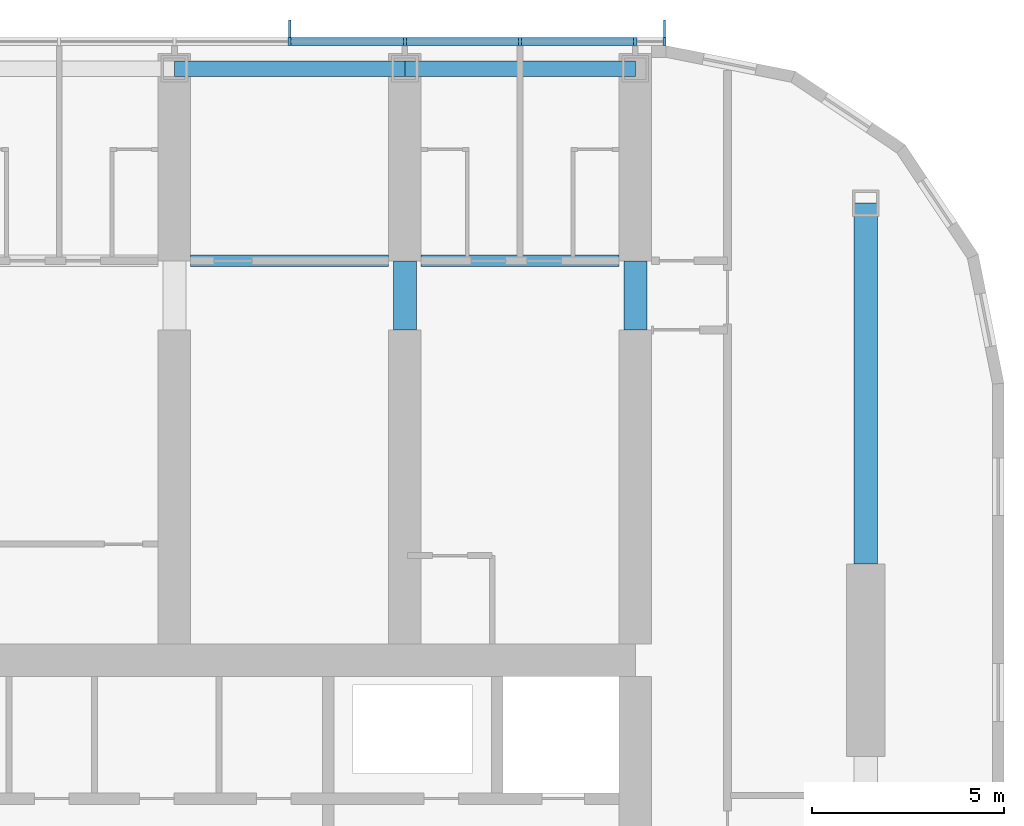
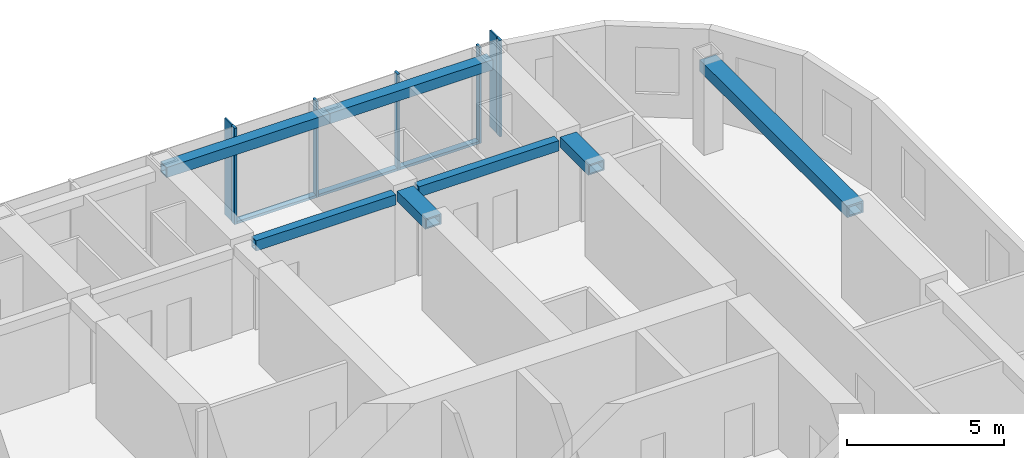
# One storey, part 5 of 23: 10 members, 7 beams, 1 element without a shape of its own.
"""IFC4 building model written with IfcOpenShell, lengths in metres."""

from ifc_helpers import new_model, si_unit, direction, frame, origin, origin_2d, place, context, subcontext, project, spatial, rectangle, hollow_rectangle, extrude, material, material_profile, profile_set, type_object, element, aggregate, save


model = new_model("IFC4")

# Units and contexts
model_context = context("Model", 3, precision=1e-05, world=origin(), true_north=direction((0.0, 1.0)))
body_context = subcontext(model_context, "Body", "Model", "MODEL_VIEW")
ifc_project = project(units=[si_unit("LENGTHUNIT", "METRE"), si_unit("AREAUNIT", "SQUARE_METRE"), si_unit("VOLUMEUNIT", "CUBIC_METRE"), si_unit("PLANEANGLEUNIT", "RADIAN"), si_unit("MASSUNIT", "GRAM", prefix="KILO")], contexts=[model_context])

# Site, building, storey
site_placement = place(None, origin())
site = spatial("IfcSite", under=ifc_project, at=site_placement, CompositionType="ELEMENT")
building_placement = place(site_placement, origin())
building = spatial("IfcBuilding", under=site, at=building_placement, Name="Orbita Commons", CompositionType="ELEMENT")
storey_placement = place(building_placement, frame((0.0, 0.0, 171.10009765625)))
storey = spatial("IfcBuildingStorey", under=building, at=storey_placement, Name="L42", CompositionType="ELEMENT", Elevation=171.10009765625)

# Curtain wall, members
ifc_material_1 = material(Name="Anodised aluminium frame, pale silver", Category="aluminium")
curtain_wall_type = type_object("IfcCurtainWallType", Name="Unitised curtain wall CW-U, full-height vision", PredefinedType="NOTDEFINED", material=ifc_material_1)
curtain_wall_placement = place(storey_placement, origin())
curtain_wall = element("IfcCurtainWall", 1, at=curtain_wall_placement, inside=storey, type_object=curtain_wall_type, Name="Curtain wall north L42", PredefinedType="NOTDEFINED")
ifc_material_2 = material(Name="Anodised aluminium, pale silver", Category="aluminium")
ifc_material_profile_1 = material_profile(ifc_material_2, rectangle(XDim=0.080078125, YDim=0.219970703125, at=origin_2d()), Name="AL 80x220")
ifc_profile_set_1 = profile_set([ifc_material_profile_1], Name="Anodised aluminium, pale silver")
member_type_1 = type_object("IfcMemberType", Name="Curtain wall mullion 80x220", PredefinedType="MULLION", material=ifc_profile_set_1)
member_1_placement = place(storey_placement, frame((66.760009765625, 54.31005859375, -0.25), z_axis=(0.0, 0.0, 1.0), x_axis=(-1.0, 0.0, 0.0)))
member_1 = element("IfcMember", 2, at=member_1_placement, type_object=member_type_1, Name="Mullion 1 CW-L42-N", PredefinedType="MULLION", context=body_context, shape_type="SweptSolid", body=[
    extrude(rectangle(XDim=0.080078125, YDim=0.219970703125, at=origin_2d()), origin(), (0.0, 0.0, 1.0), 3.75),
])
member_2_placement = place(storey_placement, frame((66.0, 54.31005859375, -0.25), z_axis=(0.0, 0.0, 1.0), x_axis=(-1.0, 0.0, 0.0)))
member_2 = element("IfcMember", 3, at=member_2_placement, type_object=member_type_1, Name="Mullion 2 CW-L42-N", PredefinedType="MULLION", context=body_context, shape_type="SweptSolid", body=[
    extrude(rectangle(XDim=0.080078125, YDim=0.219970703125, at=origin_2d()), origin(), (0.0, 0.0, 1.0), 3.75),
])
member_3_placement = place(storey_placement, frame((63.0, 54.31005859375, -0.25), z_axis=(0.0, 0.0, 1.0), x_axis=(-1.0, 0.0, 0.0)))
member_3 = element("IfcMember", 4, at=member_3_placement, type_object=member_type_1, Name="Mullion 3 CW-L42-N", PredefinedType="MULLION", context=body_context, shape_type="SweptSolid", body=[
    extrude(rectangle(XDim=0.080078125, YDim=0.219970703125, at=origin_2d()), origin(), (0.0, 0.0, 1.0), 3.75),
])
member_4_placement = place(storey_placement, frame((60.0, 54.31005859375, -0.25), z_axis=(0.0, 0.0, 1.0), x_axis=(-1.0, 0.0, 0.0)))
member_4 = element("IfcMember", 5, at=member_4_placement, type_object=member_type_1, Name="Mullion 4 CW-L42-N", PredefinedType="MULLION", context=body_context, shape_type="SweptSolid", body=[
    extrude(rectangle(XDim=0.080078125, YDim=0.219970703125, at=origin_2d()), origin(), (0.0, 0.0, 1.0), 3.75),
])
member_5_placement = place(storey_placement, frame((57.0, 54.31005859375, -0.25), z_axis=(0.0, 0.0, 1.0), x_axis=(-1.0, 0.0, 0.0)))
member_5 = element("IfcMember", 6, at=member_5_placement, type_object=member_type_1, Name="Mullion 5 CW-L42-N", PredefinedType="MULLION", context=body_context, shape_type="SweptSolid", body=[
    extrude(rectangle(XDim=0.080078125, YDim=0.219970703125, at=origin_2d()), origin(), (0.0, 0.0, 1.0), 3.75),
])
ifc_material_3 = material(Name="Anodised aluminium, pale silver", Category="aluminium")
ifc_material_profile_2 = material_profile(ifc_material_3, rectangle(XDim=0.219970703125, YDim=0.10009765625, at=origin_2d()), Name="AL 220x100")
ifc_profile_set_2 = profile_set([ifc_material_profile_2], Name="Anodised aluminium, pale silver")
member_type_2 = type_object("IfcMemberType", Name="Curtain wall stack transom 220x100", PredefinedType="USERDEFINED", material=ifc_profile_set_2)
member_6_placement = place(storey_placement, frame((65.9599609375, 54.31005859375, -0.2001953125), z_axis=(-1.0, 0.0, 0.0), x_axis=(0.0, -1.0, 0.0)))
member_6 = element("IfcMember", 7, at=member_6_placement, type_object=member_type_2, Name="Transom 2.1 CW-L42-N", ObjectType="TRANSOM", PredefinedType="USERDEFINED", context=body_context, shape_type="SweptSolid", body=[
    extrude(rectangle(XDim=0.219970703125, YDim=0.10009765625, at=origin_2d()), origin(), (0.0, 0.0, 1.0), 2.919921875),
])
member_7_placement = place(storey_placement, frame((62.9599609375, 54.31005859375, -0.2001953125), z_axis=(-1.0, 0.0, 0.0), x_axis=(0.0, -1.0, 0.0)))
member_7 = element("IfcMember", 8, at=member_7_placement, type_object=member_type_2, Name="Transom 3.1 CW-L42-N", ObjectType="TRANSOM", PredefinedType="USERDEFINED", context=body_context, shape_type="SweptSolid", body=[
    extrude(rectangle(XDim=0.219970703125, YDim=0.10009765625, at=origin_2d()), origin(), (0.0, 0.0, 1.0), 2.919921875),
])
member_8_placement = place(storey_placement, frame((59.9599609375, 54.31005859375, -0.2001953125), z_axis=(-1.0, 0.0, 0.0), x_axis=(0.0, -1.0, 0.0)))
member_8 = element("IfcMember", 9, at=member_8_placement, type_object=member_type_2, Name="Transom 4.1 CW-L42-N", ObjectType="TRANSOM", PredefinedType="USERDEFINED", context=body_context, shape_type="SweptSolid", body=[
    extrude(rectangle(XDim=0.219970703125, YDim=0.10009765625, at=origin_2d()), origin(), (0.0, 0.0, 1.0), 2.919921875),
])

# Beams
ifc_material_4 = material(Name="Steel ASTM A572 Gr 50 welded plate", Category="steel")
ifc_material_profile_3 = material_profile(ifc_material_4, hollow_rectangle(XDim=0.300048828125, YDim=0.39990234375, WallThickness=0.0400390625, at=origin_2d()), Name="BOX 400x300x40")
ifc_profile_set_3 = profile_set([ifc_material_profile_3], Name="Steel ASTM A572 Gr 50 welded plate")
beam_type_1 = type_object("IfcBeamType", Name="Steel corridor link BOX 400x300x40", PredefinedType="BEAM", material=ifc_profile_set_3)
for number, where, z_axis, x_axis, name in (
    (10, (54.425048828125, 48.60009765625, 3.2998046875), (1.0, 0.0, 0.0), (0.0, 1.0, 0.0), "Corridor beam NB 10-11 L42"),
    (11, (60.425048828125, 48.60009765625, 3.2998046875), (1.0, 0.0, 0.0), (0.0, 1.0, 0.0), "Corridor beam NB 11-12 L42"),
):
    element("IfcBeam", number, at=place(storey_placement, frame(where, z_axis=z_axis, x_axis=x_axis)), inside=storey, type_object=beam_type_1, Name=name, PredefinedType="BEAM", context=body_context, shape_type="SweptSolid", body=[
        extrude(hollow_rectangle(XDim=0.300048828125, YDim=0.39990234375, WallThickness=0.0400390625, at=origin_2d()), origin(), (0.0, 0.0, 1.0), 5.14990234375),
    ])
ifc_material_5 = material(Name="Steel ASTM A572 Gr 50 welded plate", Category="steel")
ifc_material_profile_4 = material_profile(ifc_material_5, hollow_rectangle(XDim=0.60009765625, YDim=0.39990234375, WallThickness=0.050048828125, at=origin_2d()), Name="BOX 400x600x50")
ifc_profile_set_4 = profile_set([ifc_material_profile_4], Name="Steel ASTM A572 Gr 50 welded plate")
beam_type_2 = type_object("IfcBeamType", Name="Steel coupling link BOX 400x600x50", PredefinedType="LINTEL", material=ifc_profile_set_4)
for number, where, z_axis, x_axis, name in (
    (12, (60.0, 46.800048828125, 3.2998046875), (0.0, 1.0, 0.0), (-1.0, 0.0, 0.0), "Coupling beam 11 north L42"),
    (13, (66.0, 46.800048828125, 3.2998046875), (0.0, 1.0, 0.0), (-1.0, 0.0, 0.0), "Coupling beam 12 north L42"),
):
    element("IfcBeam", number, at=place(storey_placement, frame(where, z_axis=z_axis, x_axis=x_axis)), inside=storey, type_object=beam_type_2, Name=name, PredefinedType="LINTEL", context=body_context, shape_type="SweptSolid", body=[
        extrude(hollow_rectangle(XDim=0.60009765625, YDim=0.39990234375, WallThickness=0.050048828125, at=origin_2d()), origin(), (0.0, 0.0, 1.0), 1.800048828125),
    ])
ifc_material_6 = material(Name="Steel ASTM A572 Gr 50 welded plate", Category="steel")
ifc_material_profile_5 = material_profile(ifc_material_6, hollow_rectangle(XDim=0.60009765625, YDim=0.449951171875, WallThickness=0.06005859375, at=origin_2d()), Name="BOX 450x600x60")
ifc_profile_set_5 = profile_set([ifc_material_profile_5], Name="Steel ASTM A572 Gr 50 welded plate")
beam_type_3 = type_object("IfcBeamType", Name="Steel end frame link BOX 450x600x60", PredefinedType="BEAM", material=ifc_profile_set_5)
beam_placement = place(storey_placement, frame((72.0, 40.699951171875, 3.27490234375), z_axis=(0.0, 1.0, 0.0), x_axis=(-1.0, 0.0, 0.0)))
element("IfcBeam", 14, at=beam_placement, inside=storey, type_object=beam_type_3, Name="End frame beam 13 D-E L42", PredefinedType="BEAM", context=body_context, shape_type="SweptSolid", body=[
    extrude(hollow_rectangle(XDim=0.60009765625, YDim=0.449951171875, WallThickness=0.06005859375, at=origin_2d()), origin(), (0.0, 0.0, 1.0), 9.400146484375),
])
ifc_material_7 = material(Name="Steel ASTM A572 Gr 50 welded plate", Category="steel")
ifc_material_profile_6 = material_profile(ifc_material_7, hollow_rectangle(XDim=0.39990234375, YDim=0.39990234375, WallThickness=0.0400390625, at=origin_2d()), Name="BOX 400x400x40")
ifc_profile_set_6 = profile_set([ifc_material_profile_6], Name="Steel ASTM A572 Gr 50 welded plate")
beam_type_4 = type_object("IfcBeamType", Name="Steel spandrel BOX 400x400x40", PredefinedType="SPANDREL", material=ifc_profile_set_6)
for number, where, z_axis, x_axis, name in (
    (15, (54.0, 53.60009765625, 3.2998046875), (1.0, 0.0, 0.0), (0.0, 1.0, 0.0), "Spandrel beam E 10-11 L42"),
    (16, (60.0, 53.60009765625, 3.2998046875), (1.0, 0.0, 0.0), (0.0, 1.0, 0.0), "Spandrel beam E 11-12 L42"),
):
    element("IfcBeam", number, at=place(storey_placement, frame(where, z_axis=z_axis, x_axis=x_axis)), inside=storey, type_object=beam_type_4, Name=name, PredefinedType="SPANDREL", context=body_context, shape_type="SweptSolid", body=[
        extrude(hollow_rectangle(XDim=0.39990234375, YDim=0.39990234375, WallThickness=0.0400390625, at=origin_2d()), origin(), (0.0, 0.0, 1.0), 6.0),
    ])

# Member
ifc_material_8 = material(Name="Anodised aluminium, pale silver", Category="aluminium")
ifc_material_profile_7 = material_profile(ifc_material_8, rectangle(XDim=0.06005859375, YDim=0.449951171875, at=origin_2d()), Name="FIN 60x450")
ifc_profile_set_7 = profile_set([ifc_material_profile_7], Name="Anodised aluminium, pale silver")
member_type_3 = type_object("IfcMemberType", Name="Vertical fin 60x450 pale aluminium", PredefinedType="USERDEFINED", material=ifc_profile_set_7)
member_9_placement = place(storey_placement, frame((66.760009765625, 54.64501953125, -0.25), z_axis=(0.0, 0.0, 1.0), x_axis=(-1.0, 0.0, 0.0)))
member_9 = element("IfcMember", 17, at=member_9_placement, type_object=member_type_3, Name="Fin 1 CW-L42-N", ObjectType="FIN", PredefinedType="USERDEFINED", context=body_context, shape_type="SweptSolid", body=[
    extrude(rectangle(XDim=0.06005859375, YDim=0.449951171875, at=origin_2d()), origin(), (0.0, 0.0, 1.0), 3.75),
])

member_10_placement = place(storey_placement, frame((57.0, 54.64501953125, -0.25), z_axis=(0.0, 0.0, 1.0), x_axis=(-1.0, 0.0, 0.0)))
member_10 = element("IfcMember", 18, at=member_10_placement, type_object=member_type_3, Name="Fin 5 CW-L42-N", ObjectType="FIN", PredefinedType="USERDEFINED", context=body_context, shape_type="SweptSolid", body=[
    extrude(rectangle(XDim=0.06005859375, YDim=0.449951171875, at=origin_2d()), origin(), (0.0, 0.0, 1.0), 3.75),
])

aggregate(curtain_wall, [member_1, member_9, member_2, member_3, member_4, member_5, member_10, member_6, member_7, member_8])

save(model, "model.ifc")
